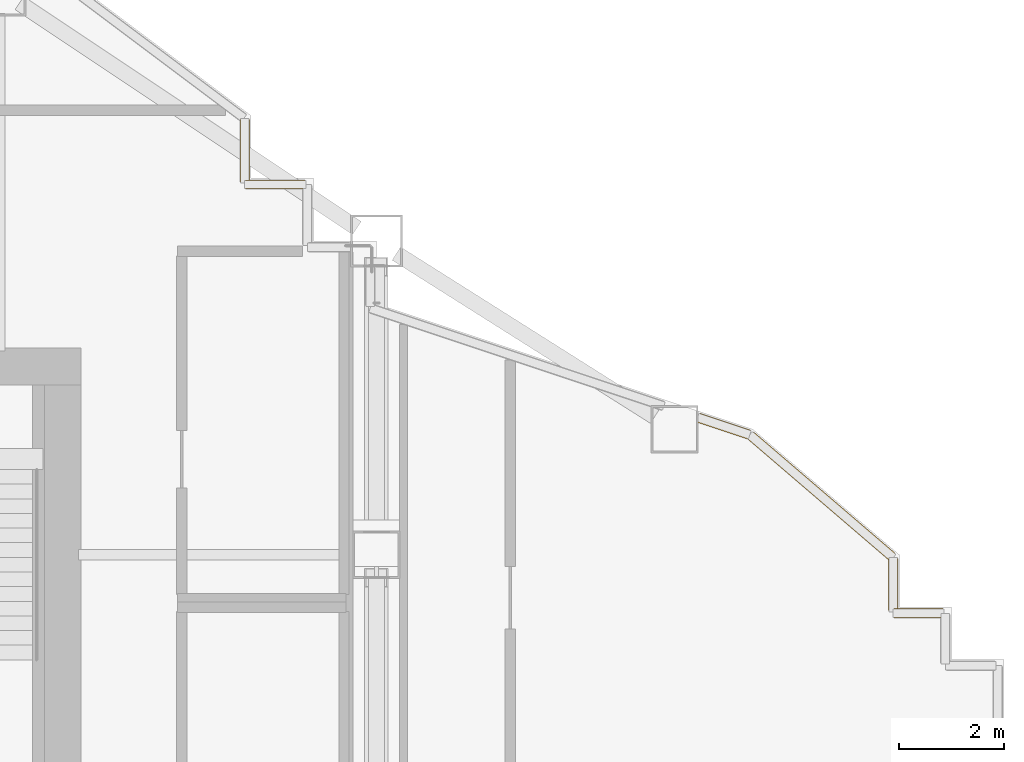
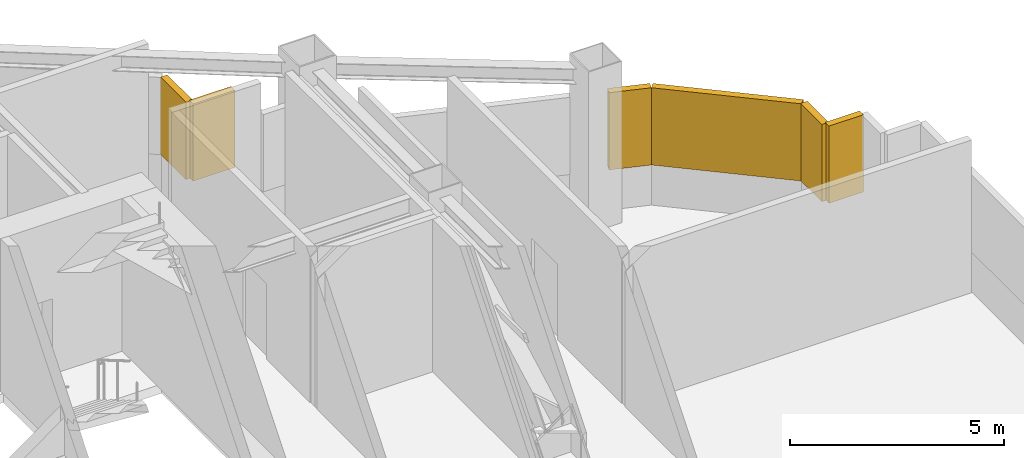
# One storey, part 24 of 24: 6 shading devices.
"""IFC4 building model written with IfcOpenShell, lengths in metres."""

from ifc_helpers import new_model, si_unit, direction, frame, origin, origin_2d, place, context, subcontext, project, spatial, rectangle, extrude, material, type_object, element, save


model = new_model("IFC4")

# Units and contexts
model_context = context("Model", 3, precision=1e-05, world=origin(), true_north=direction((0.0, 1.0)))
body_context = subcontext(model_context, "Body", "Model", "MODEL_VIEW")
ifc_project = project(units=[si_unit("LENGTHUNIT", "METRE"), si_unit("AREAUNIT", "SQUARE_METRE"), si_unit("VOLUMEUNIT", "CUBIC_METRE"), si_unit("PLANEANGLEUNIT", "RADIAN"), si_unit("MASSUNIT", "GRAM", prefix="KILO")], contexts=[model_context])

# Site, building, storey
site_placement = place(None, origin())
site = spatial("IfcSite", under=ifc_project, at=site_placement, CompositionType="ELEMENT")
building_placement = place(site_placement, origin())
building = spatial("IfcBuilding", under=site, at=building_placement, Name="Haolan Belvedere Tower", CompositionType="ELEMENT")
storey_placement = place(building_placement, frame((0.0, 0.0, 160.0)))
storey = spatial("IfcBuildingStorey", under=building, at=storey_placement, Name="L40", CompositionType="ELEMENT", Elevation=160.0)

# Shading devices
ifc_material = material(Name="Anodised champagne-silver aluminium 6063-T6", Category="aluminium")
shading_device_type = type_object("IfcShadingDeviceType", Name="SHD-LOUV-180", PredefinedType="JALOUSIE", material=ifc_material)
shading_device_1_placement = place(storey_placement, frame((63.1650390625, 38.47998046875, 1.14990234375), z_axis=(0.0, 0.0, 1.0), x_axis=(-1.0, 0.0, 0.0)))
element("IfcShadingDevice", 1, at=shading_device_1_placement, inside=storey, type_object=shading_device_type, Name="L40 refuge storm-proof louvre bank 17.1", PredefinedType="JALOUSIE", context=body_context, shape_type="SweptSolid", body=[
    extrude(rectangle(XDim=0.929931640625, YDim=0.179931640625, at=origin_2d()), origin(), (0.0, 0.0, 1.0), 2.199951171875),
])
shading_device_2_placement = place(storey_placement, frame((62.679931640625, 39.02734375, 1.14990234375), z_axis=(0.0, 0.0, 1.0), x_axis=(0.0, 1.0, 0.0)))
element("IfcShadingDevice", 2, at=shading_device_2_placement, inside=storey, type_object=shading_device_type, Name="L40 refuge storm-proof louvre bank 18.1", PredefinedType="JALOUSIE", context=body_context, shape_type="SweptSolid", body=[
    extrude(rectangle(XDim=0.994873046875, YDim=0.179931640625, at=origin_2d()), origin(), (0.0, 0.0, 1.0), 2.199951171875),
])
shading_device_3_placement = place(storey_placement, frame((61.309814453125, 40.71923828125, 1.14990234375), z_axis=(0.0, 0.0, 1.0), x_axis=(-0.759248590567, 0.650800720438, 0.0)))
element("IfcShadingDevice", 3, at=shading_device_3_placement, inside=storey, type_object=shading_device_type, Name="L40 refuge storm-proof louvre bank 19.1", PredefinedType="JALOUSIE", context=body_context, shape_type="SweptSolid", body=[
    extrude(rectangle(XDim=3.569091796875, YDim=0.179931640625, at=origin_2d()), origin(), (0.0, 0.0, 1.0), 2.199951171875),
])
shading_device_4_placement = place(storey_placement, frame((59.44091796875, 42.059814453125, 1.14990234375), z_axis=(0.0, 0.0, 1.0), x_axis=(-0.948683015593, 0.316228613389, 0.0)))
element("IfcShadingDevice", 4, at=shading_device_4_placement, inside=storey, type_object=shading_device_type, Name="L40 refuge storm-proof louvre bank 20.1", PredefinedType="JALOUSIE", context=body_context, shape_type="SweptSolid", body=[
    extrude(rectangle(XDim=1.01171875, YDim=0.179931640625, at=origin_2d()), origin(), (0.0, 0.0, 1.0), 2.199951171875),
])
shading_device_5_placement = place(storey_placement, frame((50.864990234375, 46.679931640625, 1.14990234375), z_axis=(0.0, 0.0, 1.0), x_axis=(-1.0, 0.0, 0.0)))
element("IfcShadingDevice", 5, at=shading_device_5_placement, inside=storey, type_object=shading_device_type, Name="L40 refuge storm-proof louvre bank 24.1", PredefinedType="JALOUSIE", context=body_context, shape_type="SweptSolid", body=[
    extrude(rectangle(XDim=1.1298828125, YDim=0.179931640625, at=origin_2d()), origin(), (0.0, 0.0, 1.0), 2.199951171875),
])
shading_device_6_placement = place(storey_placement, frame((50.280029296875, 47.324951171875, 1.14990234375), z_axis=(0.0, 0.0, 1.0), x_axis=(0.0, 1.0, 0.0)))
element("IfcShadingDevice", 6, at=shading_device_6_placement, inside=storey, type_object=shading_device_type, Name="L40 refuge storm-proof louvre bank 25.1", PredefinedType="JALOUSIE", context=body_context, shape_type="SweptSolid", body=[
    extrude(rectangle(XDim=1.18994140625, YDim=0.179931640625, at=origin_2d()), origin(), (0.0, 0.0, 1.0), 2.199951171875),
])

save(model, "model.ifc")
